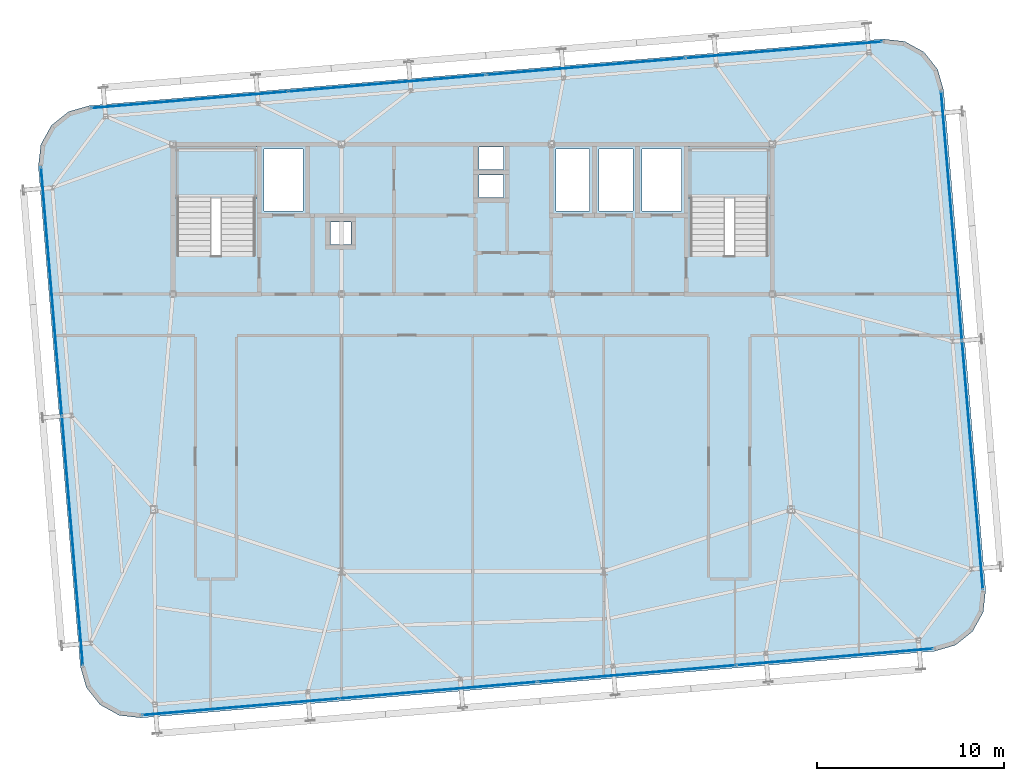
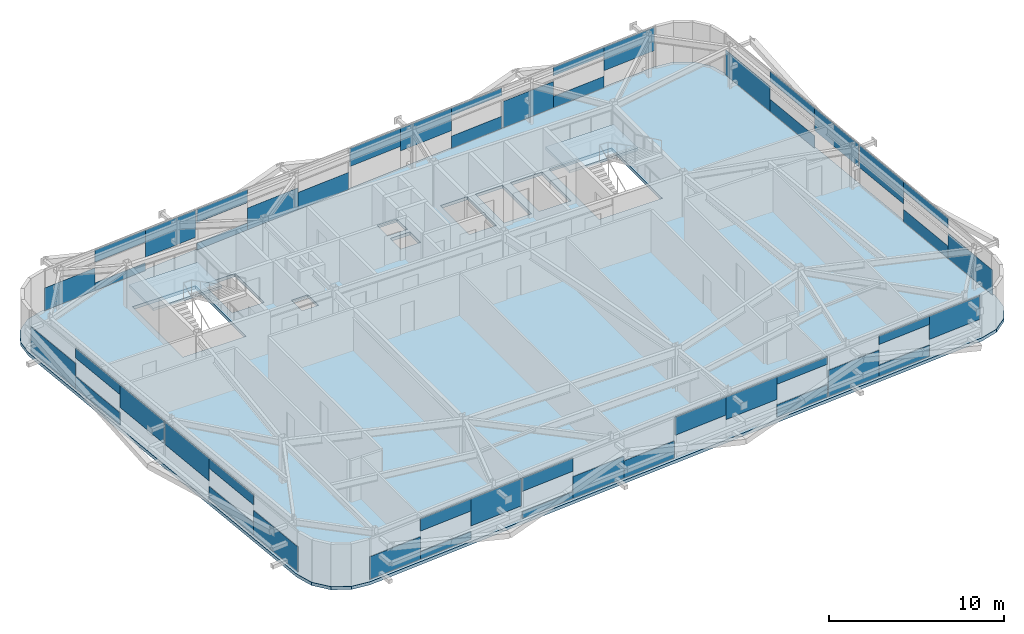
# One storey, part 26 of 37: 48 plates, 3 slabs, 6 elements without a shape of their own.
"""IFC4 building model written with IfcOpenShell, lengths in metres."""

from ifc_helpers import new_model, si_unit, direction, frame, origin, origin_2d, place, context, subcontext, project, spatial, polyline, rectangle, outline, extrude, source, transform, mapped, material, layer, layer_set, type_object, element, aggregate, save


model = new_model("IFC4")

# Units and contexts
model_context = context("Model", 3, precision=1e-05, world=origin(), true_north=direction((0.0, 1.0)))
body_context = subcontext(model_context, "Body", "Model", "MODEL_VIEW")
ifc_project = project(units=[si_unit("LENGTHUNIT", "METRE"), si_unit("AREAUNIT", "SQUARE_METRE"), si_unit("VOLUMEUNIT", "CUBIC_METRE"), si_unit("PLANEANGLEUNIT", "RADIAN"), si_unit("MASSUNIT", "GRAM", prefix="KILO")], contexts=[model_context])

# Site, building, storey
site_placement = place(None, origin())
site = spatial("IfcSite", under=ifc_project, at=site_placement, CompositionType="ELEMENT")
building_placement = place(site_placement, origin())
building = spatial("IfcBuilding", under=site, at=building_placement, Name="Taldren Reach Tower", CompositionType="ELEMENT")
storey_placement = place(building_placement, frame((0.0, 0.0, 182.0)))
storey = spatial("IfcBuildingStorey", under=building, at=storey_placement, Name="L55", CompositionType="ELEMENT", Elevation=182.0)

# Slab
ifc_material_1 = material(Name="Concrete N40 (40 MPa)", Category="concrete")
ifc_layer_1 = layer(ifc_material_1, 0.219970703125)
ifc_layer_set_1 = layer_set([ifc_layer_1], Name="Concrete N40 (40 MPa)")
slab_type_1 = type_object("IfcSlabType", Name="SL-FLR-220", PredefinedType="FLOOR", material=ifc_layer_set_1)
slab_1_placement = place(storey_placement, frame((0.0, 0.0, -0.219970703125)))
element("IfcSlab", 1, at=slab_1_placement, inside=storey, type_object=slab_type_1, Name="Suspended floor slab L55", PredefinedType="FLOOR", context=body_context, shape_type="SweptSolid", body=[
    extrude(outline(polyline([(59.647705078125, 4.935791015625), (60.772705078125, 5.25927734375), (61.688232421875, 5.98876953125), (62.254638671875, 7.012939453125), (62.38623046875, 8.17626953125), (60.1435546875, 34.882080078125), (59.820068359375, 36.007080078125), (59.090576171875, 36.922607421875), (58.06640625, 37.4892578125), (56.903076171875, 37.62060546875), (14.55224609375, 34.064208984375), (13.42724609375, 33.74072265625), (12.511962890625, 33.01123046875), (11.9453125, 31.987060546875), (11.813720703125, 30.82373046875), (14.056396484375, 4.117919921875), (14.3798828125, 2.992919921875), (15.109375, 2.077392578125), (16.1337890625, 1.5107421875), (17.296875, 1.37939453125), (59.647705078125, 4.935791015625)]), holes=[polyline([(19.219970703125, 26.050048828125), (23.3798828125, 26.050048828125), (23.3798828125, 31.820068359375), (19.219970703125, 31.820068359375), (19.219970703125, 26.050048828125)]), polyline([(46.6201171875, 26.050048828125), (50.780029296875, 26.050048828125), (50.780029296875, 31.820068359375), (46.6201171875, 31.820068359375), (46.6201171875, 26.050048828125)]), polyline([(23.85009765625, 28.449951171875), (25.949951171875, 28.449951171875), (25.949951171875, 31.75), (23.85009765625, 31.75), (23.85009765625, 28.449951171875)]), polyline([(44.050048828125, 28.449951171875), (46.14990234375, 28.449951171875), (46.14990234375, 31.75), (44.050048828125, 31.75), (44.050048828125, 28.449951171875)]), polyline([(39.449951171875, 28.449951171875), (41.25, 28.449951171875), (41.25, 31.75), (39.449951171875, 31.75), (39.449951171875, 28.449951171875)]), polyline([(41.75, 28.449951171875), (43.550048828125, 28.449951171875), (43.550048828125, 31.75), (41.75, 31.75), (41.75, 28.449951171875)]), polyline([(35.35009765625, 30.64990234375), (36.64990234375, 30.64990234375), (36.64990234375, 31.85009765625), (35.35009765625, 31.85009765625), (35.35009765625, 30.64990234375)]), polyline([(35.35009765625, 29.14990234375), (36.64990234375, 29.14990234375), (36.64990234375, 30.35009765625), (35.35009765625, 30.35009765625), (35.35009765625, 29.14990234375)]), polyline([(27.39990234375, 26.64990234375), (28.5, 26.64990234375), (28.5, 27.85009765625), (27.39990234375, 27.85009765625), (27.39990234375, 26.64990234375)])]), origin(), (0.0, 0.0, 1.0), 0.219970703125),
])

# Stair, slab
ifc_material_2 = material(Name="Concrete S50 (50 MPa)", Category="concrete")
stair_type = type_object("IfcStairType", Name="ST-HT-315", PredefinedType="HALF_TURN_STAIR", material=ifc_material_2)
stair_1_placement = place(storey_placement, origin())
stair_1 = element("IfcStair", 2, at=stair_1_placement, inside=storey, type_object=stair_type, Name="Fire-isolated exit stair ST1 L55", PredefinedType="HALF_TURN_STAIR")
ifc_layer_2 = layer(ifc_material_2, 0.179931640625)
ifc_layer_set_2 = layer_set([ifc_layer_2], Name="Concrete S50 (50 MPa)")
slab_type_2 = type_object("IfcSlabType", Name="SL-LAND-180", PredefinedType="LANDING", material=ifc_layer_set_2)
slab_2_placement = place(storey_placement, frame((0.0, 0.0, 1.39501953125)))
slab_2 = element("IfcSlab", 3, at=slab_2_placement, type_object=slab_type_2, Name="ST1 landing 1", PredefinedType="LANDING", context=body_context, shape_type="SweptSolid", body=[
    extrude(outline(polyline([(19.0400390625, 29.135009765625), (23.56005859375, 29.135009765625), (23.56005859375, 31.8701171875), (19.0400390625, 31.8701171875), (19.0400390625, 29.135009765625)])), origin(), (0.0, 0.0, 1.0), 0.179931640625),
])
aggregate(stair_1, [slab_2])

stair_2_placement = place(storey_placement, origin())
stair_2 = element("IfcStair", 4, at=stair_2_placement, inside=storey, type_object=stair_type, Name="Fire-isolated exit stair ST2 L55", PredefinedType="HALF_TURN_STAIR")
slab_3_placement = place(storey_placement, frame((0.0, 0.0, 1.39501953125)))
slab_3 = element("IfcSlab", 5, at=slab_3_placement, type_object=slab_type_2, Name="ST2 landing 1", PredefinedType="LANDING", context=body_context, shape_type="SweptSolid", body=[
    extrude(outline(polyline([(46.43994140625, 29.135009765625), (50.9599609375, 29.135009765625), (50.9599609375, 31.8701171875), (46.43994140625, 31.8701171875), (46.43994140625, 29.135009765625)])), origin(), (0.0, 0.0, 1.0), 0.179931640625),
])
aggregate(stair_2, [slab_3])

# Curtain wall, plate
ifc_material_3 = material(Name="Aluminium and Low-E Glass Unitised System", Category="aluminium")
ifc_layer_3 = layer(ifc_material_3, 0.159912109375)
ifc_layer_set_3 = layer_set([ifc_layer_3], Name="Aluminium and Low-E Glass Unitised System")
curtain_wall_type = type_object("IfcCurtainWallType", Name="CW-SYS-5", PredefinedType="NOTDEFINED", material=ifc_layer_set_3)
curtain_wall_1_placement = place(storey_placement, origin())
curtain_wall_1 = element("IfcCurtainWall", 6, at=curtain_wall_1_placement, inside=storey, type_object=curtain_wall_type, Name="Unitised curtain wall CW-L55-S", PredefinedType="NOTDEFINED")
ifc_material_4 = material(Name="Acoustic Triple-Laminated IGU", Category="glass")
ifc_layer_4 = layer(ifc_material_4, 0.035888671875)
ifc_layer_set_4 = layer_set([ifc_layer_4], Name="Acoustic Triple-Laminated IGU")
plate_type = type_object("IfcPlateType", Name="CW-PNL-IGU36", PredefinedType="CURTAIN_PANEL", material=ifc_layer_set_4)
shared_shape_1 = source(origin(), body_context, "Body", "SweptSolid", [
    extrude(rectangle(XDim=3.506591796875, YDim=0.035888671875, at=origin_2d()), origin(), (0.0, 0.0, 1.0), 1.63232421875),
])
plate_1_placement = place(storey_placement, frame((57.819091796875, 4.922607421875, 1.237548828125), z_axis=(0.0, 0.0, 1.0), x_axis=(0.996492854922, 0.083677894865, 0.0)))
plate_1 = element("IfcPlate", 7, at=plate_1_placement, type_object=plate_type, Name="CW-5 panel 4.1 part 4", PredefinedType="CURTAIN_PANEL", context=body_context, shape_type="MappedRepresentation", body=[
    mapped(shared_shape_1, transform((0.0, 0.0, 0.0), scale=1.0)),
])

curtain_wall_2_placement = place(storey_placement, origin())
curtain_wall_2 = element("IfcCurtainWall", 8, at=curtain_wall_2_placement, inside=storey, type_object=curtain_wall_type, Name="Unitised curtain wall CW-L55-N", PredefinedType="NOTDEFINED")
plate_2_placement = place(storey_placement, frame((55.097900390625, 37.32861328125, 1.237548828125), z_axis=(0.0, 0.0, 1.0), x_axis=(-0.99649285657, -0.083677875247, 0.0)))
plate_2 = element("IfcPlate", 9, at=plate_2_placement, type_object=plate_type, Name="CW-5 panel 1.1 part 1", PredefinedType="CURTAIN_PANEL", context=body_context, shape_type="MappedRepresentation", body=[
    mapped(shared_shape_1, transform((0.0, 0.0, 0.0), scale=1.0)),
])

# Plate
shared_shape_2 = source(origin(), body_context, "Body", "SweptSolid", [
    extrude(rectangle(XDim=3.506591796875, YDim=0.035888671875, at=origin_2d()), origin(), (0.0, 0.0, 1.0), 0.7919921875),
])
plate_3_placement = place(storey_placement, frame((54.32470703125, 4.629150390625, 0.06005859375), z_axis=(0.0, 0.0, 1.0), x_axis=(0.996492854922, 0.083677894865, 0.0)))
plate_3 = element("IfcPlate", 10, at=plate_3_placement, type_object=plate_type, Name="CW-5 panel 4.1 part 2", PredefinedType="CURTAIN_PANEL", context=body_context, shape_type="MappedRepresentation", body=[
    mapped(shared_shape_2, transform((0.0, 0.0, 0.0), scale=1.0)),
])

plate_4_placement = place(storey_placement, frame((51.603515625, 37.03515625, 0.06005859375), z_axis=(0.0, 0.0, 1.0), x_axis=(-0.99649285657, -0.083677875247, 0.0)))
plate_4 = element("IfcPlate", 11, at=plate_4_placement, type_object=plate_type, Name="CW-5 panel 1.1 part 2", PredefinedType="CURTAIN_PANEL", context=body_context, shape_type="MappedRepresentation", body=[
    mapped(shared_shape_2, transform((0.0, 0.0, 0.0), scale=1.0)),
])

shared_shape_3 = source(origin(), body_context, "Body", "SweptSolid", [
    extrude(rectangle(XDim=3.506591796875, YDim=0.035888671875, at=origin_2d()), origin(), (0.0, 0.0, 1.0), 0.590576171875),
])
plate_5_placement = place(storey_placement, frame((54.32470703125, 4.629150390625, 2.279296875), z_axis=(0.0, 0.0, 1.0), x_axis=(0.996492854922, 0.083677894865, 0.0)))
plate_5 = element("IfcPlate", 12, at=plate_5_placement, type_object=plate_type, Name="CW-5 panel 4.1 part 3", PredefinedType="CURTAIN_PANEL", context=body_context, shape_type="MappedRepresentation", body=[
    mapped(shared_shape_3, transform((0.0, 0.0, 0.0), scale=1.0)),
])

plate_6_placement = place(storey_placement, frame((51.603515625, 37.03515625, 2.279296875), z_axis=(0.0, 0.0, 1.0), x_axis=(-0.99649285657, -0.083677875247, 0.0)))
plate_6 = element("IfcPlate", 13, at=plate_6_placement, type_object=plate_type, Name="CW-5 panel 1.1 part 3", PredefinedType="CURTAIN_PANEL", context=body_context, shape_type="MappedRepresentation", body=[
    mapped(shared_shape_3, transform((0.0, 0.0, 0.0), scale=1.0)),
])

shared_shape_4 = source(origin(), body_context, "Body", "SweptSolid", [
    extrude(rectangle(XDim=3.506591796875, YDim=0.035888671875, at=origin_2d()), origin(), (0.0, 0.0, 1.0), 1.833740234375),
])
plate_7_placement = place(storey_placement, frame((50.830322265625, 4.335693359375, 0.06005859375), z_axis=(0.0, 0.0, 1.0), x_axis=(0.996492854922, 0.083677894865, 0.0)))
plate_7 = element("IfcPlate", 14, at=plate_7_placement, type_object=plate_type, Name="CW-5 panel 4.1 part 1", PredefinedType="CURTAIN_PANEL", context=body_context, shape_type="MappedRepresentation", body=[
    mapped(shared_shape_4, transform((0.0, 0.0, 0.0), scale=1.0)),
])

plate_8_placement = place(storey_placement, frame((48.109130859375, 36.74169921875, 0.06005859375), z_axis=(0.0, 0.0, 1.0), x_axis=(-0.99649285657, -0.083677875247, 0.0)))
plate_8 = element("IfcPlate", 15, at=plate_8_placement, type_object=plate_type, Name="CW-5 panel 1.1 part 4", PredefinedType="CURTAIN_PANEL", context=body_context, shape_type="MappedRepresentation", body=[
    mapped(shared_shape_4, transform((0.0, 0.0, 0.0), scale=1.0)),
])

shared_shape_5 = source(origin(), body_context, "Body", "SweptSolid", [
    extrude(rectangle(XDim=3.518310546875, YDim=0.035888671875, at=origin_2d()), origin(), (0.0, 0.0, 1.0), 0.85302734375),
])
plate_9_placement = place(storey_placement, frame((47.260498046875, 4.035888671875, 0.06005859375), z_axis=(0.0, 0.0, 1.0), x_axis=(0.996492854922, 0.083677894865, 0.0)))
plate_9 = element("IfcPlate", 16, at=plate_9_placement, type_object=plate_type, Name="CW-5 panel 3.1 part 3", PredefinedType="CURTAIN_PANEL", context=body_context, shape_type="MappedRepresentation", body=[
    mapped(shared_shape_5, transform((0.0, 0.0, 0.0), scale=1.0)),
])

plate_10_placement = place(storey_placement, frame((44.539306640625, 36.44189453125, 0.06005859375), z_axis=(0.0, 0.0, 1.0), x_axis=(-0.99649285657, -0.083677875247, 0.0)))
plate_10 = element("IfcPlate", 17, at=plate_10_placement, type_object=plate_type, Name="CW-5 panel 2.1 part 1", PredefinedType="CURTAIN_PANEL", context=body_context, shape_type="MappedRepresentation", body=[
    mapped(shared_shape_5, transform((0.0, 0.0, 0.0), scale=1.0)),
])

shared_shape_6 = source(origin(), body_context, "Body", "SweptSolid", [
    extrude(rectangle(XDim=3.518310546875, YDim=0.035888671875, at=origin_2d()), origin(), (0.0, 0.0, 1.0), 0.5263671875),
])
plate_11_placement = place(storey_placement, frame((47.260498046875, 4.035888671875, 2.34375), z_axis=(0.0, 0.0, 1.0), x_axis=(0.996492854922, 0.083677894865, 0.0)))
plate_11 = element("IfcPlate", 18, at=plate_11_placement, type_object=plate_type, Name="CW-5 panel 3.1 part 4", PredefinedType="CURTAIN_PANEL", context=body_context, shape_type="MappedRepresentation", body=[
    mapped(shared_shape_6, transform((0.0, 0.0, 0.0), scale=1.0)),
])

plate_12_placement = place(storey_placement, frame((44.539306640625, 36.44189453125, 2.34375), z_axis=(0.0, 0.0, 1.0), x_axis=(-0.99649285657, -0.083677875247, 0.0)))
plate_12 = element("IfcPlate", 19, at=plate_12_placement, type_object=plate_type, Name="CW-5 panel 2.1 part 2", PredefinedType="CURTAIN_PANEL", context=body_context, shape_type="MappedRepresentation", body=[
    mapped(shared_shape_6, transform((0.0, 0.0, 0.0), scale=1.0)),
])

shared_shape_7 = source(origin(), body_context, "Body", "SweptSolid", [
    extrude(rectangle(XDim=3.518310546875, YDim=0.035888671875, at=origin_2d()), origin(), (0.0, 0.0, 1.0), 1.571533203125),
])
plate_13_placement = place(storey_placement, frame((43.75439453125, 3.741455078125, 1.29833984375), z_axis=(0.0, 0.0, 1.0), x_axis=(0.996492854922, 0.083677894865, 0.0)))
plate_13 = element("IfcPlate", 20, at=plate_13_placement, type_object=plate_type, Name="CW-5 panel 3.1 part 2", PredefinedType="CURTAIN_PANEL", context=body_context, shape_type="MappedRepresentation", body=[
    mapped(shared_shape_7, transform((0.0, 0.0, 0.0), scale=1.0)),
])

plate_14_placement = place(storey_placement, frame((41.033203125, 36.1474609375, 1.29833984375), z_axis=(0.0, 0.0, 1.0), x_axis=(-0.99649285657, -0.083677875247, 0.0)))
plate_14 = element("IfcPlate", 21, at=plate_14_placement, type_object=plate_type, Name="CW-5 panel 2.1 part 3", PredefinedType="CURTAIN_PANEL", context=body_context, shape_type="MappedRepresentation", body=[
    mapped(shared_shape_7, transform((0.0, 0.0, 0.0), scale=1.0)),
])

shared_shape_8 = source(origin(), body_context, "Body", "SweptSolid", [
    extrude(rectangle(XDim=3.518310546875, YDim=0.035888671875, at=origin_2d()), origin(), (0.0, 0.0, 1.0), 1.252685546875),
])
plate_15_placement = place(storey_placement, frame((40.24853515625, 3.447265625, 1.6171875), z_axis=(0.0, 0.0, 1.0), x_axis=(0.996492854922, 0.083677894865, 0.0)))
plate_15 = element("IfcPlate", 22, at=plate_15_placement, type_object=plate_type, Name="CW-5 panel 3.1 part 1", PredefinedType="CURTAIN_PANEL", context=body_context, shape_type="MappedRepresentation", body=[
    mapped(shared_shape_8, transform((0.0, 0.0, 0.0), scale=1.0)),
])

plate_16_placement = place(storey_placement, frame((37.52734375, 35.85302734375, 1.6171875), z_axis=(0.0, 0.0, 1.0), x_axis=(-0.99649285657, -0.083677875247, 0.0)))
plate_16 = element("IfcPlate", 23, at=plate_16_placement, type_object=plate_type, Name="CW-5 panel 2.1 part 4", PredefinedType="CURTAIN_PANEL", context=body_context, shape_type="MappedRepresentation", body=[
    mapped(shared_shape_8, transform((0.0, 0.0, 0.0), scale=1.0)),
])

shared_shape_9 = source(origin(), body_context, "Body", "SweptSolid", [
    extrude(rectangle(XDim=3.518310546875, YDim=0.035888671875, at=origin_2d()), origin(), (0.0, 0.0, 1.0), 1.192626953125),
])
plate_17_placement = place(storey_placement, frame((36.672607421875, 3.14697265625, 0.06005859375), z_axis=(0.0, 0.0, 1.0), x_axis=(0.996492854922, 0.083677894865, 0.0)))
plate_17 = element("IfcPlate", 24, at=plate_17_placement, type_object=plate_type, Name="CW-5 panel 2.1 part 4", PredefinedType="CURTAIN_PANEL", context=body_context, shape_type="MappedRepresentation", body=[
    mapped(shared_shape_9, transform((0.0, 0.0, 0.0), scale=1.0)),
])

plate_18_placement = place(storey_placement, frame((33.951416015625, 35.552734375, 0.06005859375), z_axis=(0.0, 0.0, 1.0), x_axis=(-0.99649285657, -0.083677875247, 0.0)))
plate_18 = element("IfcPlate", 25, at=plate_18_placement, type_object=plate_type, Name="CW-5 panel 3.1 part 1", PredefinedType="CURTAIN_PANEL", context=body_context, shape_type="MappedRepresentation", body=[
    mapped(shared_shape_9, transform((0.0, 0.0, 0.0), scale=1.0)),
])

shared_shape_10 = source(origin(), body_context, "Body", "SweptSolid", [
    extrude(rectangle(XDim=3.518310546875, YDim=0.035888671875, at=origin_2d()), origin(), (0.0, 0.0, 1.0), 1.511474609375),
])
plate_19_placement = place(storey_placement, frame((33.166748046875, 2.8525390625, 0.06005859375), z_axis=(0.0, 0.0, 1.0), x_axis=(0.996492854922, 0.083677894865, 0.0)))
plate_19 = element("IfcPlate", 26, at=plate_19_placement, type_object=plate_type, Name="CW-5 panel 2.1 part 3", PredefinedType="CURTAIN_PANEL", context=body_context, shape_type="MappedRepresentation", body=[
    mapped(shared_shape_10, transform((0.0, 0.0, 0.0), scale=1.0)),
])

plate_20_placement = place(storey_placement, frame((30.445556640625, 35.258544921875, 0.06005859375), z_axis=(0.0, 0.0, 1.0), x_axis=(-0.99649285657, -0.083677875247, 0.0)))
plate_20 = element("IfcPlate", 27, at=plate_20_placement, type_object=plate_type, Name="CW-5 panel 3.1 part 2", PredefinedType="CURTAIN_PANEL", context=body_context, shape_type="MappedRepresentation", body=[
    mapped(shared_shape_10, transform((0.0, 0.0, 0.0), scale=1.0)),
])

shared_shape_11 = source(origin(), body_context, "Body", "SweptSolid", [
    extrude(rectangle(XDim=3.518310546875, YDim=0.035888671875, at=origin_2d()), origin(), (0.0, 0.0, 1.0), 0.46630859375),
])
plate_21_placement = place(storey_placement, frame((29.66064453125, 2.55810546875, 0.06005859375), z_axis=(0.0, 0.0, 1.0), x_axis=(0.996492854922, 0.083677894865, 0.0)))
plate_21 = element("IfcPlate", 28, at=plate_21_placement, type_object=plate_type, Name="CW-5 panel 2.1 part 1", PredefinedType="CURTAIN_PANEL", context=body_context, shape_type="MappedRepresentation", body=[
    mapped(shared_shape_11, transform((0.0, 0.0, 0.0), scale=1.0)),
])

plate_22_placement = place(storey_placement, frame((26.939453125, 34.964111328125, 0.06005859375), z_axis=(0.0, 0.0, 1.0), x_axis=(-0.99649285657, -0.083677875247, 0.0)))
plate_22 = element("IfcPlate", 29, at=plate_22_placement, type_object=plate_type, Name="CW-5 panel 3.1 part 3", PredefinedType="CURTAIN_PANEL", context=body_context, shape_type="MappedRepresentation", body=[
    mapped(shared_shape_11, transform((0.0, 0.0, 0.0), scale=1.0)),
])

shared_shape_12 = source(origin(), body_context, "Body", "SweptSolid", [
    extrude(rectangle(XDim=3.518310546875, YDim=0.035888671875, at=origin_2d()), origin(), (0.0, 0.0, 1.0), 0.9130859375),
])
plate_23_placement = place(storey_placement, frame((29.66064453125, 2.55810546875, 1.95703125), z_axis=(0.0, 0.0, 1.0), x_axis=(0.996492854922, 0.083677894865, 0.0)))
plate_23 = element("IfcPlate", 30, at=plate_23_placement, type_object=plate_type, Name="CW-5 panel 2.1 part 2", PredefinedType="CURTAIN_PANEL", context=body_context, shape_type="MappedRepresentation", body=[
    mapped(shared_shape_12, transform((0.0, 0.0, 0.0), scale=1.0)),
])

plate_24_placement = place(storey_placement, frame((26.939453125, 34.964111328125, 1.95703125), z_axis=(0.0, 0.0, 1.0), x_axis=(-0.99649285657, -0.083677875247, 0.0)))
plate_24 = element("IfcPlate", 31, at=plate_24_placement, type_object=plate_type, Name="CW-5 panel 3.1 part 4", PredefinedType="CURTAIN_PANEL", context=body_context, shape_type="MappedRepresentation", body=[
    mapped(shared_shape_12, transform((0.0, 0.0, 0.0), scale=1.0)),
])

shared_shape_13 = source(origin(), body_context, "Body", "SweptSolid", [
    extrude(rectangle(XDim=3.506591796875, YDim=0.035888671875, at=origin_2d()), origin(), (0.0, 0.0, 1.0), 1.893798828125),
])
plate_25_placement = place(storey_placement, frame((26.0908203125, 2.25830078125, 0.97607421875), z_axis=(0.0, 0.0, 1.0), x_axis=(0.996492854922, 0.083677894865, 0.0)))
plate_25 = element("IfcPlate", 32, at=plate_25_placement, type_object=plate_type, Name="CW-5 panel 1.1 part 4", PredefinedType="CURTAIN_PANEL", context=body_context, shape_type="MappedRepresentation", body=[
    mapped(shared_shape_13, transform((0.0, 0.0, 0.0), scale=1.0)),
])

plate_26_placement = place(storey_placement, frame((23.36962890625, 34.664306640625, 0.97607421875), z_axis=(0.0, 0.0, 1.0), x_axis=(-0.99649285657, -0.083677875247, 0.0)))
plate_26 = element("IfcPlate", 33, at=plate_26_placement, type_object=plate_type, Name="CW-5 panel 4.1 part 1", PredefinedType="CURTAIN_PANEL", context=body_context, shape_type="MappedRepresentation", body=[
    mapped(shared_shape_13, transform((0.0, 0.0, 0.0), scale=1.0)),
])

shared_shape_14 = source(origin(), body_context, "Body", "SweptSolid", [
    extrude(rectangle(XDim=3.506591796875, YDim=0.035888671875, at=origin_2d()), origin(), (0.0, 0.0, 1.0), 0.53076171875),
])
plate_27_placement = place(storey_placement, frame((22.596435546875, 1.96484375, 0.06005859375), z_axis=(0.0, 0.0, 1.0), x_axis=(0.996492854922, 0.083677894865, 0.0)))
plate_27 = element("IfcPlate", 34, at=plate_27_placement, type_object=plate_type, Name="CW-5 panel 1.1 part 2", PredefinedType="CURTAIN_PANEL", context=body_context, shape_type="MappedRepresentation", body=[
    mapped(shared_shape_14, transform((0.0, 0.0, 0.0), scale=1.0)),
])

plate_28_placement = place(storey_placement, frame((19.875244140625, 34.370849609375, 0.06005859375), z_axis=(0.0, 0.0, 1.0), x_axis=(-0.99649285657, -0.083677875247, 0.0)))
plate_28 = element("IfcPlate", 35, at=plate_28_placement, type_object=plate_type, Name="CW-5 panel 4.1 part 2", PredefinedType="CURTAIN_PANEL", context=body_context, shape_type="MappedRepresentation", body=[
    mapped(shared_shape_14, transform((0.0, 0.0, 0.0), scale=1.0)),
])

shared_shape_15 = source(origin(), body_context, "Body", "SweptSolid", [
    extrude(rectangle(XDim=3.506591796875, YDim=0.035888671875, at=origin_2d()), origin(), (0.0, 0.0, 1.0), 0.85205078125),
])
plate_29_placement = place(storey_placement, frame((22.596435546875, 1.96484375, 2.017822265625), z_axis=(0.0, 0.0, 1.0), x_axis=(0.996492854922, 0.083677894865, 0.0)))
plate_29 = element("IfcPlate", 36, at=plate_29_placement, type_object=plate_type, Name="CW-5 panel 1.1 part 3", PredefinedType="CURTAIN_PANEL", context=body_context, shape_type="MappedRepresentation", body=[
    mapped(shared_shape_15, transform((0.0, 0.0, 0.0), scale=1.0)),
])

plate_30_placement = place(storey_placement, frame((19.875244140625, 34.370849609375, 2.017822265625), z_axis=(0.0, 0.0, 1.0), x_axis=(-0.99649285657, -0.083677875247, 0.0)))
plate_30 = element("IfcPlate", 37, at=plate_30_placement, type_object=plate_type, Name="CW-5 panel 4.1 part 3", PredefinedType="CURTAIN_PANEL", context=body_context, shape_type="MappedRepresentation", body=[
    mapped(shared_shape_15, transform((0.0, 0.0, 0.0), scale=1.0)),
])

shared_shape_16 = source(origin(), body_context, "Body", "SweptSolid", [
    extrude(rectangle(XDim=3.506591796875, YDim=0.035888671875, at=origin_2d()), origin(), (0.0, 0.0, 1.0), 1.572265625),
])
plate_31_placement = place(storey_placement, frame((19.10205078125, 1.67138671875, 0.06005859375), z_axis=(0.0, 0.0, 1.0), x_axis=(0.996492854922, 0.083677894865, 0.0)))
plate_31 = element("IfcPlate", 38, at=plate_31_placement, type_object=plate_type, Name="CW-5 panel 1.1 part 1", PredefinedType="CURTAIN_PANEL", context=body_context, shape_type="MappedRepresentation", body=[
    mapped(shared_shape_16, transform((0.0, 0.0, 0.0), scale=1.0)),
])

aggregate(curtain_wall_1, [plate_31, plate_27, plate_29, plate_25, plate_21, plate_23, plate_19, plate_17, plate_15, plate_13, plate_9, plate_11, plate_7, plate_3, plate_5, plate_1])

plate_32_placement = place(storey_placement, frame((16.380859375, 34.077392578125, 0.06005859375), z_axis=(0.0, 0.0, 1.0), x_axis=(-0.99649285657, -0.083677875247, 0.0)))
plate_32 = element("IfcPlate", 39, at=plate_32_placement, type_object=plate_type, Name="CW-5 panel 4.1 part 4", PredefinedType="CURTAIN_PANEL", context=body_context, shape_type="MappedRepresentation", body=[
    mapped(shared_shape_16, transform((0.0, 0.0, 0.0), scale=1.0)),
])

aggregate(curtain_wall_2, [plate_2, plate_4, plate_6, plate_8, plate_10, plate_12, plate_14, plate_16, plate_18, plate_20, plate_22, plate_24, plate_26, plate_28, plate_30, plate_32])

# Curtain wall, plates
curtain_wall_3_placement = place(storey_placement, origin())
curtain_wall_3 = element("IfcCurtainWall", 40, at=curtain_wall_3_placement, inside=storey, type_object=curtain_wall_type, Name="Unitised curtain wall CW-L55-W", PredefinedType="NOTDEFINED")
shared_shape_17 = source(origin(), body_context, "Body", "SweptSolid", [
    extrude(rectangle(XDim=4.431640625, YDim=0.035888671875, at=origin_2d()), origin(), (0.0, 0.0, 1.0), 1.743896484375),
])
plate_33_placement = place(storey_placement, frame((12.14453125, 28.5576171875, 0.06005859375), z_axis=(0.0, 0.0, 1.0), x_axis=(0.083677979808, -0.996492847789, 0.0)))
plate_33 = element("IfcPlate", 41, at=plate_33_placement, type_object=plate_type, Name="CW-5 panel 1.1 part 1", PredefinedType="CURTAIN_PANEL", context=body_context, shape_type="MappedRepresentation", body=[
    mapped(shared_shape_17, transform((0.0, 0.0, 0.0), scale=1.0)),
])
plate_34_placement = place(storey_placement, frame((14.004638671875, 6.4072265625, 0.06005859375), z_axis=(0.0, 0.0, 1.0), x_axis=(0.083677979808, -0.996492847789, 0.0)))
plate_34 = element("IfcPlate", 42, at=plate_34_placement, type_object=plate_type, Name="CW-5 panel 2.1 part 4", PredefinedType="CURTAIN_PANEL", context=body_context, shape_type="MappedRepresentation", body=[
    mapped(shared_shape_17, transform((0.0, 0.0, 0.0), scale=1.0)),
])

curtain_wall_4_placement = place(storey_placement, origin())
curtain_wall_4 = element("IfcCurtainWall", 43, at=curtain_wall_4_placement, inside=storey, type_object=curtain_wall_type, Name="Unitised curtain wall CW-L55-E", PredefinedType="NOTDEFINED")
plate_35_placement = place(storey_placement, frame((62.055419921875, 10.4423828125, 0.06005859375), z_axis=(0.0, 0.0, 1.0), x_axis=(-0.083677979808, 0.996492847789, 0.0)))
plate_35 = element("IfcPlate", 44, at=plate_35_placement, type_object=plate_type, Name="CW-5 panel 1.1 part 1", PredefinedType="CURTAIN_PANEL", context=body_context, shape_type="MappedRepresentation", body=[
    mapped(shared_shape_17, transform((0.0, 0.0, 0.0), scale=1.0)),
])
plate_36_placement = place(storey_placement, frame((60.1953125, 32.5927734375, 0.06005859375), z_axis=(0.0, 0.0, 1.0), x_axis=(-0.083677979808, 0.996492847789, 0.0)))
plate_36 = element("IfcPlate", 45, at=plate_36_placement, type_object=plate_type, Name="CW-5 panel 2.1 part 4", PredefinedType="CURTAIN_PANEL", context=body_context, shape_type="MappedRepresentation", body=[
    mapped(shared_shape_17, transform((0.0, 0.0, 0.0), scale=1.0)),
])

# Plate
shared_shape_18 = source(origin(), body_context, "Body", "SweptSolid", [
    extrude(rectangle(XDim=4.431640625, YDim=0.035888671875, at=origin_2d()), origin(), (0.0, 0.0, 1.0), 0.861083984375),
])
plate_37_placement = place(storey_placement, frame((12.515380859375, 24.1416015625, 0.06005859375), z_axis=(0.0, 0.0, 1.0), x_axis=(0.083677979808, -0.996492847789, 0.0)))
plate_37 = element("IfcPlate", 46, at=plate_37_placement, type_object=plate_type, Name="CW-5 panel 1.1 part 2", PredefinedType="CURTAIN_PANEL", context=body_context, shape_type="MappedRepresentation", body=[
    mapped(shared_shape_18, transform((0.0, 0.0, 0.0), scale=1.0)),
])

plate_38_placement = place(storey_placement, frame((13.6337890625, 10.823486328125, 0.06005859375), z_axis=(0.0, 0.0, 1.0), x_axis=(0.083677979808, -0.996492847789, 0.0)))
plate_38 = element("IfcPlate", 47, at=plate_38_placement, type_object=plate_type, Name="CW-5 panel 2.1 part 2", PredefinedType="CURTAIN_PANEL", context=body_context, shape_type="MappedRepresentation", body=[
    mapped(shared_shape_18, transform((0.0, 0.0, 0.0), scale=1.0)),
])

plate_39_placement = place(storey_placement, frame((61.6845703125, 14.8583984375, 0.06005859375), z_axis=(0.0, 0.0, 1.0), x_axis=(-0.083677979808, 0.996492847789, 0.0)))
plate_39 = element("IfcPlate", 48, at=plate_39_placement, type_object=plate_type, Name="CW-5 panel 1.1 part 2", PredefinedType="CURTAIN_PANEL", context=body_context, shape_type="MappedRepresentation", body=[
    mapped(shared_shape_18, transform((0.0, 0.0, 0.0), scale=1.0)),
])

plate_40_placement = place(storey_placement, frame((60.566162109375, 28.176513671875, 0.06005859375), z_axis=(0.0, 0.0, 1.0), x_axis=(-0.083677979808, 0.996492847789, 0.0)))
plate_40 = element("IfcPlate", 49, at=plate_40_placement, type_object=plate_type, Name="CW-5 panel 2.1 part 2", PredefinedType="CURTAIN_PANEL", context=body_context, shape_type="MappedRepresentation", body=[
    mapped(shared_shape_18, transform((0.0, 0.0, 0.0), scale=1.0)),
])

shared_shape_19 = source(origin(), body_context, "Body", "SweptSolid", [
    extrude(rectangle(XDim=4.431640625, YDim=0.035888671875, at=origin_2d()), origin(), (0.0, 0.0, 1.0), 0.689208984375),
])
plate_41_placement = place(storey_placement, frame((12.515380859375, 24.1416015625, 2.1806640625), z_axis=(0.0, 0.0, 1.0), x_axis=(0.083677979808, -0.996492847789, 0.0)))
plate_41 = element("IfcPlate", 50, at=plate_41_placement, type_object=plate_type, Name="CW-5 panel 1.1 part 3", PredefinedType="CURTAIN_PANEL", context=body_context, shape_type="MappedRepresentation", body=[
    mapped(shared_shape_19, transform((0.0, 0.0, 0.0), scale=1.0)),
])

plate_42_placement = place(storey_placement, frame((13.6337890625, 10.823486328125, 2.1806640625), z_axis=(0.0, 0.0, 1.0), x_axis=(0.083677979808, -0.996492847789, 0.0)))
plate_42 = element("IfcPlate", 51, at=plate_42_placement, type_object=plate_type, Name="CW-5 panel 2.1 part 3", PredefinedType="CURTAIN_PANEL", context=body_context, shape_type="MappedRepresentation", body=[
    mapped(shared_shape_19, transform((0.0, 0.0, 0.0), scale=1.0)),
])

plate_43_placement = place(storey_placement, frame((61.6845703125, 14.8583984375, 2.1806640625), z_axis=(0.0, 0.0, 1.0), x_axis=(-0.083677979808, 0.996492847789, 0.0)))
plate_43 = element("IfcPlate", 52, at=plate_43_placement, type_object=plate_type, Name="CW-5 panel 1.1 part 3", PredefinedType="CURTAIN_PANEL", context=body_context, shape_type="MappedRepresentation", body=[
    mapped(shared_shape_19, transform((0.0, 0.0, 0.0), scale=1.0)),
])

plate_44_placement = place(storey_placement, frame((60.566162109375, 28.176513671875, 2.1806640625), z_axis=(0.0, 0.0, 1.0), x_axis=(-0.083677979808, 0.996492847789, 0.0)))
plate_44 = element("IfcPlate", 53, at=plate_44_placement, type_object=plate_type, Name="CW-5 panel 2.1 part 3", PredefinedType="CURTAIN_PANEL", context=body_context, shape_type="MappedRepresentation", body=[
    mapped(shared_shape_19, transform((0.0, 0.0, 0.0), scale=1.0)),
])

shared_shape_20 = source(origin(), body_context, "Body", "SweptSolid", [
    extrude(rectangle(XDim=4.431640625, YDim=0.035888671875, at=origin_2d()), origin(), (0.0, 0.0, 1.0), 1.57177734375),
])
plate_45_placement = place(storey_placement, frame((12.88623046875, 19.7255859375, 1.298095703125), z_axis=(0.0, 0.0, 1.0), x_axis=(0.083677979808, -0.996492847789, 0.0)))
plate_45 = element("IfcPlate", 54, at=plate_45_placement, type_object=plate_type, Name="CW-5 panel 1.1 part 4", PredefinedType="CURTAIN_PANEL", context=body_context, shape_type="MappedRepresentation", body=[
    mapped(shared_shape_20, transform((0.0, 0.0, 0.0), scale=1.0)),
])

plate_46_placement = place(storey_placement, frame((13.262939453125, 15.239501953125, 1.298095703125), z_axis=(0.0, 0.0, 1.0), x_axis=(0.083677979808, -0.996492847789, 0.0)))
plate_46 = element("IfcPlate", 55, at=plate_46_placement, type_object=plate_type, Name="CW-5 panel 2.1 part 1", PredefinedType="CURTAIN_PANEL", context=body_context, shape_type="MappedRepresentation", body=[
    mapped(shared_shape_20, transform((0.0, 0.0, 0.0), scale=1.0)),
])

aggregate(curtain_wall_3, [plate_33, plate_37, plate_41, plate_45, plate_46, plate_38, plate_42, plate_34])

plate_47_placement = place(storey_placement, frame((61.313720703125, 19.2744140625, 1.298095703125), z_axis=(0.0, 0.0, 1.0), x_axis=(-0.083677979808, 0.996492847789, 0.0)))
plate_47 = element("IfcPlate", 56, at=plate_47_placement, type_object=plate_type, Name="CW-5 panel 1.1 part 4", PredefinedType="CURTAIN_PANEL", context=body_context, shape_type="MappedRepresentation", body=[
    mapped(shared_shape_20, transform((0.0, 0.0, 0.0), scale=1.0)),
])

plate_48_placement = place(storey_placement, frame((60.93701171875, 23.760498046875, 1.298095703125), z_axis=(0.0, 0.0, 1.0), x_axis=(-0.083677979808, 0.996492847789, 0.0)))
plate_48 = element("IfcPlate", 57, at=plate_48_placement, type_object=plate_type, Name="CW-5 panel 2.1 part 1", PredefinedType="CURTAIN_PANEL", context=body_context, shape_type="MappedRepresentation", body=[
    mapped(shared_shape_20, transform((0.0, 0.0, 0.0), scale=1.0)),
])

aggregate(curtain_wall_4, [plate_35, plate_39, plate_43, plate_47, plate_48, plate_40, plate_44, plate_36])

save(model, "model.ifc")
